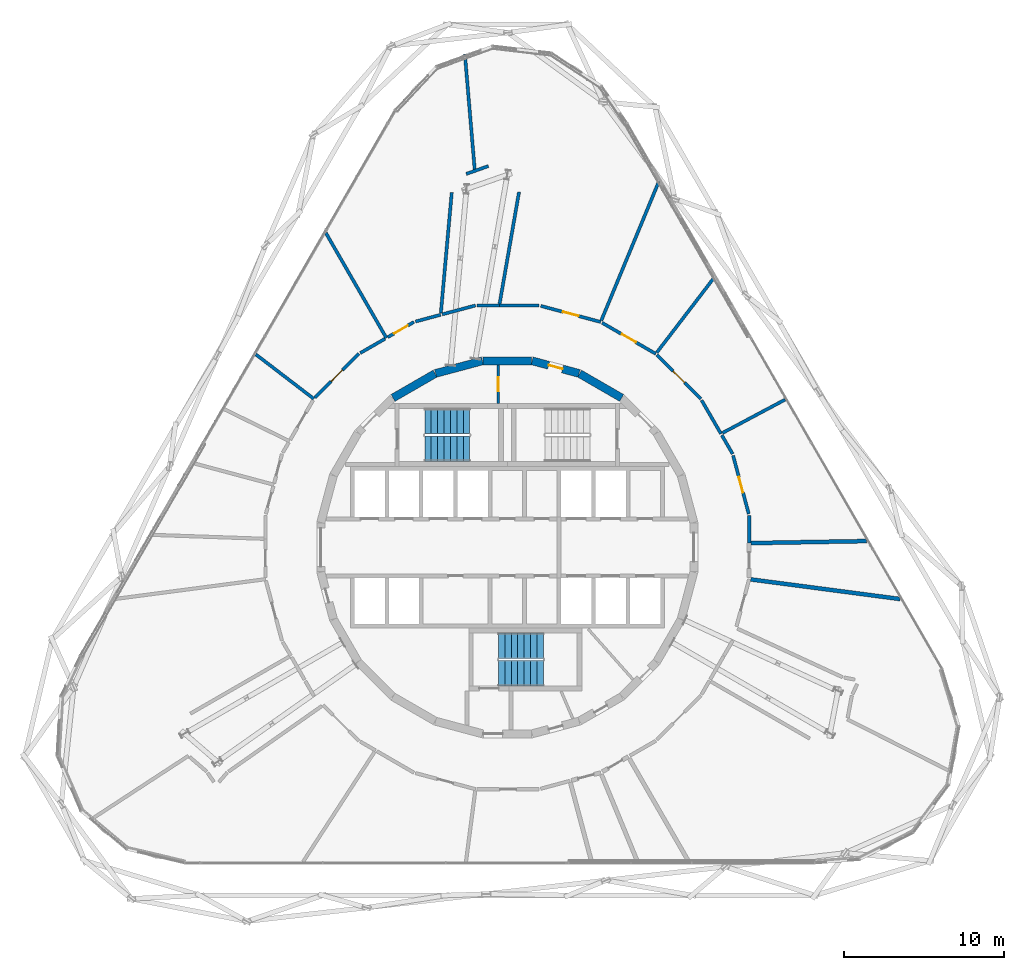
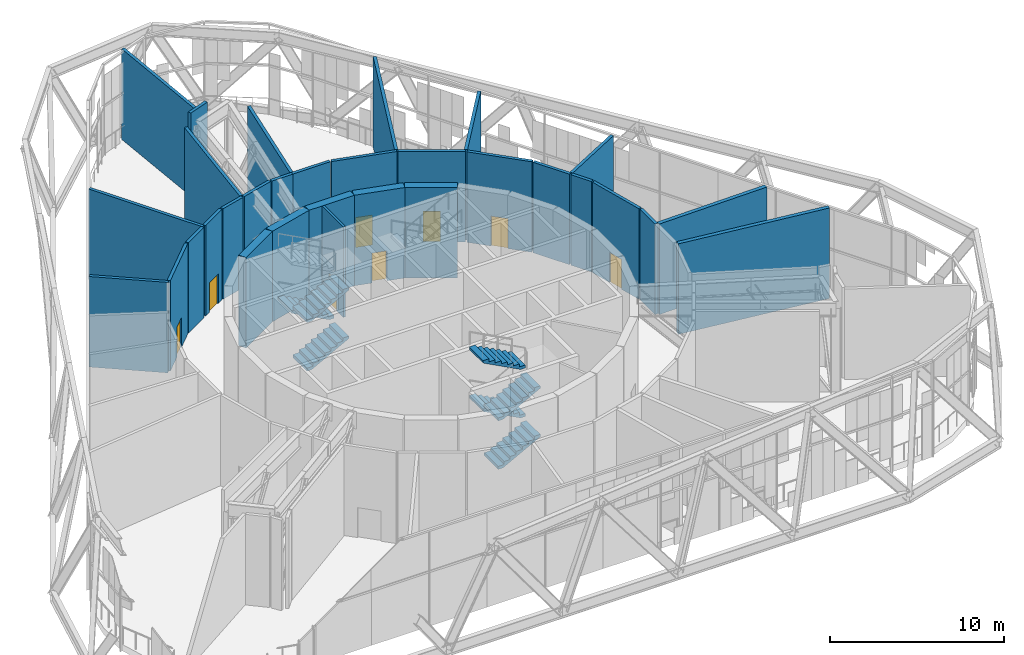
# One storey, part 26 of 29: 31 walls, 8 doors, 7 stair flights, 8 openings, 2 elements without a shape of their own.
"""IFC4 building model written with IfcOpenShell, lengths in metres."""

from ifc_helpers import new_model, si_unit, direction, frame, frame_2d, origin, place, context, subcontext, project, spatial, polyline, rectangle, outline, extrude, material, layer, layer_set, type_object, element, fill, aggregate, save


model = new_model("IFC4")

# Units and contexts
model_context = context("Model", 3, precision=1e-05, world=origin(), true_north=direction((0.0, 1.0)))
body_context = subcontext(model_context, "Body", "Model", "MODEL_VIEW")
ifc_project = project(units=[si_unit("LENGTHUNIT", "METRE"), si_unit("AREAUNIT", "SQUARE_METRE"), si_unit("VOLUMEUNIT", "CUBIC_METRE"), si_unit("PLANEANGLEUNIT", "RADIAN"), si_unit("MASSUNIT", "GRAM", prefix="KILO")], contexts=[model_context])

# Site, building, storey
site_placement = place(None, origin())
site = spatial("IfcSite", under=ifc_project, at=site_placement, CompositionType="ELEMENT")
building_placement = place(site_placement, origin())
building = spatial("IfcBuilding", under=site, at=building_placement, Name="Spindle Arch Residences", CompositionType="ELEMENT")
storey_placement = place(building_placement, frame((0.0, 0.0, 69.89990234375)))
storey = spatial("IfcBuildingStorey", under=building, at=storey_placement, Name="L16", CompositionType="ELEMENT", Elevation=69.89990234375)

# Wall
ifc_material_1 = material(Name="Concrete C50/60", Category="concrete")
ifc_layer_1 = layer(ifc_material_1, 0.5)
ifc_layer_set_1 = layer_set([ifc_layer_1], Name="Core outline wall 500")
wall_type_1 = type_object("IfcWallType", Name="Core outline wall 500", PredefinedType="SHEAR", material=ifc_layer_set_1)
wall_1_placement = place(storey_placement, frame((7.13671875, 9.32861328125, 0.0), z_axis=(0.0, 0.0, 1.0), x_axis=(-0.865975092491, 0.500087131594, 0.0)))
element("IfcWall", 1, at=wall_1_placement, inside=storey, type_object=wall_type_1, Name="Core outline wall 10", PredefinedType="SHEAR", context=body_context, shape_type="SweptSolid", body=[
    extrude(rectangle(XDim=3.03271484375, YDim=0.5, at=frame_2d((1.516357421875, 0.0))), origin(), (0.0, 0.0, 1.0), 6.35009765625),
])

# Wall, opening, door
wall_2_placement = place(storey_placement, frame((4.479248046875, 10.858154296875, 0.0), z_axis=(0.0, 0.0, 1.0), x_axis=(-0.965948410781, 0.258734743916, 0.0)))
wall_2 = element("IfcWall", 2, at=wall_2_placement, inside=storey, type_object=wall_type_1, Name="Core outline wall 11", PredefinedType="SHEAR", context=body_context, shape_type="SweptSolid", body=[
    extrude(rectangle(XDim=3.03271484375, YDim=0.5, at=frame_2d((1.516357421875, 0.0))), origin(), (0.0, 0.0, 1.0), 6.35009765625),
])
opening_1_placement = place(wall_2_placement, frame((1.066162109375, 0.0, 0.0)))
opening_1 = element("IfcOpeningElement", 3, at=opening_1_placement, cuts=wall_2, Name="Opening L16-WD12", PredefinedType="OPENING", context=body_context, shape_type="SweptSolid", body=[
    extrude(rectangle(XDim=0.89990234375, YDim=2.10009765625, at=frame_2d((0.449951171875, 1.050048828125))), frame((0.0, 0.260009765625, 0.0), z_axis=(0.0, -1.0, 0.0), x_axis=(1.0, 0.0, 0.0)), (0.0, 0.0, 1.0), 0.52001953125),
])
ifc_material_2 = material(Name="Steel, fire-resisting door", Category="steel")
door_type_1 = type_object("IfcDoorType", Name="Service room door 900x2100", OperationType="SINGLE_SWING_LEFT", PredefinedType="DOOR", material=ifc_material_2)
door_1_placement = place(opening_1_placement, origin())
door_1 = element("IfcDoor", 4, at=door_1_placement, inside=storey, type_object=door_type_1, Name="Service room door L16-WD12", OperationType="SINGLE_SWING_LEFT", OverallHeight=2.10009765625, OverallWidth=0.89990234375, PredefinedType="DOOR", context=body_context, shape_type="SweptSolid", body=[
    extrude(rectangle(XDim=0.89990234375, YDim=2.10009765625, at=frame_2d((0.449951171875, 1.050048828125))), frame((0.0, 0.02490234375, 0.0), z_axis=(0.0, -1.0, 0.0), x_axis=(1.0, 0.0, 0.0)), (0.0, 0.0, 1.0), 0.050048828125),
])
fill(opening_1, door_1)

# Walls
for number, where, z_axis, x_axis, name in (
    (5, (1.516357421875, 11.647216796875, 0.0), (0.0, 0.0, 1.0), (-1.0, 0.0, 0.0), "Core outline wall 12"),
    (6, (-1.5498046875, 11.642822265625, 0.0), (0.0, 0.0, 1.0), (-0.965948410781, -0.258734743916, 0.0), "Core outline wall 13"),
    (7, (-4.510498046875, 10.84521484375, 0.0), (0.0, 0.0, 1.0), (-0.865975092491, -0.500087131594, 0.0), "Core outline wall 14"),
):
    element("IfcWall", number, at=place(storey_placement, frame(where, z_axis=z_axis, x_axis=x_axis)), inside=storey, type_object=wall_type_1, Name=name, PredefinedType="SHEAR", context=body_context, shape_type="SweptSolid", body=[
        extrude(rectangle(XDim=3.03271484375, YDim=0.5, at=frame_2d((1.516357421875, 0.0))), origin(), (0.0, 0.0, 1.0), 6.35009765625),
    ])
ifc_material_3 = material(Name="Concrete C25/30 wall", Category="concrete")
ifc_layer_2 = layer(ifc_material_3, 0.25)
ifc_layer_set_2 = layer_set([ifc_layer_2], Name="Partition EI 120 250 plant")
wall_type_2 = type_object("IfcWallType", Name="Partition EI 120 250 plant", PredefinedType="PARTITIONING", material=ifc_layer_set_2)
wall_3_placement = place(storey_placement, frame((15.19921875, -2.0029296875, 0.0), z_axis=(0.0, 0.0, 1.0), x_axis=(0.991463740717, -0.130382709146, 0.0)))
element("IfcWall", 8, at=wall_3_placement, inside=storey, type_object=wall_type_2, Name="L16-W063", PredefinedType="PARTITIONING", context=body_context, shape_type="SweptSolid", body=[
    extrude(rectangle(XDim=9.4111328125, YDim=0.25, at=frame_2d((4.70556640625, 0.0))), origin(), (0.0, 0.0, 1.0), 6.35009765625),
])
wall_4_placement = place(storey_placement, frame((15.22509765625, 0.26220703125, 0.0), z_axis=(0.0, 0.0, 1.0), x_axis=(0.99984343394, 0.017694846912, 0.0)))
element("IfcWall", 9, at=wall_4_placement, inside=storey, type_object=wall_type_2, Name="L16-W065", PredefinedType="PARTITIONING", context=body_context, shape_type="SweptSolid", body=[
    extrude(rectangle(XDim=7.216064453125, YDim=0.25, at=frame_2d((3.60791015625, 0.0))), origin(), (0.0, 0.0, 1.0), 6.35009765625),
])
ifc_material_4 = material(Name="Gypsum board partition on steel studs", Category="steel")
ifc_layer_3 = layer(ifc_material_4, 0.199951171875)
ifc_layer_set_3 = layer_set([ifc_layer_3], Name="Partition EI 60 200 amenity")
wall_type_3 = type_object("IfcWallType", Name="Partition EI 60 200 amenity", PredefinedType="PARTITIONING", material=ifc_layer_set_3)
wall_5_placement = place(storey_placement, frame((-12.080078125, 9.27001953125, 0.0), z_axis=(0.0, 0.0, 1.0), x_axis=(-0.793910503162, 0.60803463139, 0.0)))
element("IfcWall", 10, at=wall_5_placement, inside=storey, type_object=wall_type_3, Name="L16-W020", PredefinedType="PARTITIONING", context=body_context, shape_type="SweptSolid", body=[
    extrude(rectangle(XDim=4.572265625, YDim=0.199951171875, at=frame_2d((2.2861328125, 0.0))), origin(), (0.0, 0.0, 1.0), 6.35009765625),
])

# Wall, opening, door
wall_6_placement = place(storey_placement, frame((-9.27001953125, 12.080078125, 0.0), z_axis=(0.0, 0.0, 1.0), x_axis=(-0.707106781187, -0.707106781187, 0.0)))
wall_6 = element("IfcWall", 11, at=wall_6_placement, inside=storey, type_object=wall_type_3, Name="L16-W024", PredefinedType="PARTITIONING", context=body_context, shape_type="SweptSolid", body=[
    extrude(rectangle(XDim=3.873779296875, YDim=0.199951171875, at=frame_2d((1.93701171875, 0.0))), origin(), (0.0, 0.0, 1.0), 6.35009765625),
])
opening_2_placement = place(wall_6_placement, frame((1.43701171875, 0.0, 0.0)))
opening_2 = element("IfcOpeningElement", 12, at=opening_2_placement, cuts=wall_6, Name="Opening L16-D16", PredefinedType="OPENING", context=body_context, shape_type="SweptSolid", body=[
    extrude(rectangle(XDim=1.0, YDim=2.10009765625, at=frame_2d((0.5, 1.050048828125))), frame((0.0, 0.10986328125, 0.0), z_axis=(0.0, -1.0, 0.0), x_axis=(1.0, 0.0, 0.0)), (0.0, 0.0, 1.0), 0.219970703125),
])
ifc_material_5 = material(Name="Timber door leaf", Category="wood")
door_type_2 = type_object("IfcDoorType", Name="Door 1000x2100 EI 30", OperationType="SINGLE_SWING_LEFT", PredefinedType="DOOR", material=ifc_material_5)
door_2_placement = place(opening_2_placement, origin())
door_2 = element("IfcDoor", 13, at=door_2_placement, inside=storey, type_object=door_type_2, Name="L16-D16", OperationType="SINGLE_SWING_LEFT", OverallHeight=2.10009765625, OverallWidth=1.0, PredefinedType="DOOR", context=body_context, shape_type="SweptSolid", body=[
    extrude(rectangle(XDim=1.0, YDim=2.10009765625, at=frame_2d((0.5, 1.050048828125))), frame((0.0, 0.02490234375, 0.0), z_axis=(0.0, -1.0, 0.0), x_axis=(1.0, 0.0, 0.0)), (0.0, 0.0, 1.0), 0.050048828125),
])
fill(opening_2, door_2)

# Walls
wall_7_placement = place(storey_placement, frame((-7.550048828125, 13.070068359375, 0.0), z_axis=(0.0, 0.0, 1.0), x_axis=(-0.499278518991, 0.866441550524, 0.0)))
element("IfcWall", 14, at=wall_7_placement, inside=storey, type_object=wall_type_3, Name="L16-W027", PredefinedType="PARTITIONING", context=body_context, shape_type="SweptSolid", body=[
    extrude(rectangle(XDim=7.571044921875, YDim=0.199951171875, at=frame_2d((3.78564453125, 0.0))), origin(), (0.0, 0.0, 1.0), 6.35009765625),
])
wall_8_placement = place(storey_placement, frame((-7.63671875, 13.02001953125, 0.0), z_axis=(0.0, 0.0, 1.0), x_axis=(-0.8667067021, -0.498818095637, 0.0)))
element("IfcWall", 15, at=wall_8_placement, inside=storey, type_object=wall_type_3, Name="L16-W028", PredefinedType="PARTITIONING", context=body_context, shape_type="SweptSolid", body=[
    extrude(rectangle(XDim=1.784423828125, YDim=0.199951171875, at=frame_2d((0.89208984375, 0.0))), origin(), (0.0, 0.0, 1.0), 6.35009765625),
])

# Wall, opening, door
wall_9_placement = place(storey_placement, frame((-5.830078125, 14.070068359375, 0.0), z_axis=(0.0, 0.0, 1.0), x_axis=(-0.864513714777, -0.502609228887, 0.0)))
wall_9 = element("IfcWall", 16, at=wall_9_placement, inside=storey, type_object=wall_type_3, Name="L16-W030", PredefinedType="PARTITIONING", context=body_context, shape_type="SweptSolid", body=[
    extrude(rectangle(XDim=1.8896484375, YDim=0.199951171875, at=frame_2d((0.94482421875, 0.0))), origin(), (0.0, 0.0, 1.0), 6.35009765625),
])
opening_3_placement = place(wall_9_placement, frame((0.44482421875, 0.0, 0.0)))
opening_3 = element("IfcOpeningElement", 17, at=opening_3_placement, cuts=wall_9, Name="Opening L16-D18", PredefinedType="OPENING", context=body_context, shape_type="SweptSolid", body=[
    extrude(rectangle(XDim=1.0, YDim=2.10009765625, at=frame_2d((0.5, 1.050048828125))), frame((0.0, 0.10986328125, 0.0), z_axis=(0.0, -1.0, 0.0), x_axis=(1.0, 0.0, 0.0)), (0.0, 0.0, 1.0), 0.219970703125),
])
door_3_placement = place(opening_3_placement, origin())
door_3 = element("IfcDoor", 18, at=door_3_placement, inside=storey, type_object=door_type_2, Name="L16-D18", OperationType="SINGLE_SWING_LEFT", OverallHeight=2.10009765625, OverallWidth=1.0, PredefinedType="DOOR", context=body_context, shape_type="SweptSolid", body=[
    extrude(rectangle(XDim=1.0, YDim=2.10009765625, at=frame_2d((0.5, 1.050048828125))), frame((0.0, 0.02490234375, 0.0), z_axis=(0.0, -1.0, 0.0), x_axis=(1.0, 0.0, 0.0)), (0.0, 0.0, 1.0), 0.050048828125),
])
fill(opening_3, door_3)

# Walls
wall_10_placement = place(storey_placement, frame((-4.159912109375, 14.52001953125, 0.0), z_axis=(0.0, 0.0, 1.0), x_axis=(-0.96554774119, -0.260225977726, 0.0)))
element("IfcWall", 19, at=wall_10_placement, inside=storey, type_object=wall_type_3, Name="L16-W031", PredefinedType="PARTITIONING", context=body_context, shape_type="SweptSolid", body=[
    extrude(rectangle(XDim=1.629638671875, YDim=0.199951171875, at=frame_2d((0.81494140625, 0.0))), origin(), (0.0, 0.0, 1.0), 6.35009765625),
])
wall_11_placement = place(storey_placement, frame((-3.468994140625, 22.160400390625, 0.0), z_axis=(0.0, 0.0, 1.0), x_axis=(-0.090058939674, -0.995936437422, 0.0)))
element("IfcWall", 20, at=wall_11_placement, inside=storey, type_object=wall_type_3, Name="L16-W032", PredefinedType="PARTITIONING", context=body_context, shape_type="SweptSolid", body=[
    extrude(rectangle(XDim=7.571533203125, YDim=0.199951171875, at=frame_2d((3.78564453125, 0.0))), origin(), (0.0, 0.0, 1.0), 6.35009765625),
])
wall_12_placement = place(storey_placement, frame((-2.565673828125, 23.3134765625, 0.0), z_axis=(0.0, 0.0, 1.0), x_axis=(0.942422688544, 0.334424096199, 0.0)))
element("IfcWall", 21, at=wall_12_placement, inside=storey, type_object=wall_type_3, Name="L16-W033", PredefinedType="PARTITIONING", context=body_context, shape_type="SweptSolid", body=[
    extrude(rectangle(XDim=1.472412109375, YDim=0.199951171875, at=frame_2d((0.736328125, 0.0))), origin(), (0.0, 0.0, 1.0), 6.35009765625),
])
wall_13_placement = place(storey_placement, frame((-2.030029296875, 23.510009765625, 0.0), z_axis=(0.0, 0.0, 1.0), x_axis=(-0.084724408258, 0.996404423236, 0.0)))
element("IfcWall", 22, at=wall_13_placement, inside=storey, type_object=wall_type_3, Name="L16-W034", PredefinedType="PARTITIONING", context=body_context, shape_type="SweptSolid", body=[
    extrude(rectangle(XDim=7.31640625, YDim=0.199951171875, at=frame_2d((3.658203125, 0.0))), origin(), (0.0, 0.0, 1.0), 6.35009765625),
])
wall_14_placement = place(storey_placement, frame((-1.989990234375, 15.10009765625, 0.0), z_axis=(0.0, 0.0, 1.0), x_axis=(-0.966087519043, -0.258214843781, 0.0)))
element("IfcWall", 23, at=wall_14_placement, inside=storey, type_object=wall_type_3, Name="L16-W037", PredefinedType="PARTITIONING", context=body_context, shape_type="SweptSolid", body=[
    extrude(rectangle(XDim=2.146240234375, YDim=0.199951171875, at=frame_2d((1.0732421875, 0.0))), origin(), (0.0, 0.0, 1.0), 6.35009765625),
])
wall_15_placement = place(storey_placement, frame((-0.5, 15.10009765625, 0.0), z_axis=(0.0, 0.0, 1.0), x_axis=(-1.0, 0.0, 0.0)))
element("IfcWall", 24, at=wall_15_placement, inside=storey, type_object=wall_type_3, Name="L16-W038", PredefinedType="PARTITIONING", context=body_context, shape_type="SweptSolid", body=[
    extrude(rectangle(XDim=1.389892578125, YDim=0.199951171875, at=frame_2d((0.69482421875, 0.0))), origin(), (0.0, 0.0, 1.0), 6.35009765625),
])
wall_16_placement = place(storey_placement, frame((-0.48291015625, 15.198486328125, 0.0), z_axis=(0.0, 0.0, 1.0), x_axis=(0.171227856746, 0.985231455585, 0.0)))
element("IfcWall", 25, at=wall_16_placement, inside=storey, type_object=wall_type_3, Name="L16-W039", PredefinedType="PARTITIONING", context=body_context, shape_type="SweptSolid", body=[
    extrude(rectangle(XDim=7.092041015625, YDim=0.199951171875, at=frame_2d((3.5458984375, 0.0))), origin(), (0.0, 0.0, 1.0), 6.35009765625),
])
wall_17_placement = place(storey_placement, frame((1.989990234375, 15.10009765625, 0.0), z_axis=(0.0, 0.0, 1.0), x_axis=(-1.0, 0.0, 0.0)))
element("IfcWall", 26, at=wall_17_placement, inside=storey, type_object=wall_type_3, Name="L16-W041", PredefinedType="PARTITIONING", context=body_context, shape_type="SweptSolid", body=[
    extrude(rectangle(XDim=2.489990234375, YDim=0.199951171875, at=frame_2d((1.2451171875, 0.0))), origin(), (0.0, 0.0, 1.0), 6.35009765625),
])

# Wall, opening, door
wall_18_placement = place(storey_placement, frame((5.830078125, 14.070068359375, 0.0), z_axis=(0.0, 0.0, 1.0), x_axis=(-0.965870133458, 0.259026804199, 0.0)))
wall_18 = element("IfcWall", 27, at=wall_18_placement, inside=storey, type_object=wall_type_3, Name="L16-W046", PredefinedType="PARTITIONING", context=body_context, shape_type="SweptSolid", body=[
    extrude(rectangle(XDim=3.875732421875, YDim=0.199951171875, at=frame_2d((1.93798828125, 0.0))), origin(), (0.0, 0.0, 1.0), 6.35009765625),
])
opening_4_placement = place(wall_18_placement, frame((1.43798828125, 0.0, 0.0)))
opening_4 = element("IfcOpeningElement", 28, at=opening_4_placement, cuts=wall_18, Name="Opening L16-D19", PredefinedType="OPENING", context=body_context, shape_type="SweptSolid", body=[
    extrude(rectangle(XDim=1.0, YDim=2.10009765625, at=frame_2d((0.5, 1.050048828125))), frame((0.0, 0.10986328125, 0.0), z_axis=(0.0, -1.0, 0.0), x_axis=(1.0, 0.0, 0.0)), (0.0, 0.0, 1.0), 0.219970703125),
])
door_4_placement = place(opening_4_placement, origin())
door_4 = element("IfcDoor", 29, at=door_4_placement, inside=storey, type_object=door_type_2, Name="L16-D19", OperationType="SINGLE_SWING_LEFT", OverallHeight=2.10009765625, OverallWidth=1.0, PredefinedType="DOOR", context=body_context, shape_type="SweptSolid", body=[
    extrude(rectangle(XDim=1.0, YDim=2.10009765625, at=frame_2d((0.5, 1.050048828125))), frame((0.0, 0.02490234375, 0.0), z_axis=(0.0, -1.0, 0.0), x_axis=(1.0, 0.0, 0.0)), (0.0, 0.0, 1.0), 0.050048828125),
])
fill(opening_4, door_4)

wall_19_placement = place(storey_placement, frame((9.27001953125, 12.080078125, 0.0), z_axis=(0.0, 0.0, 1.0), x_axis=(-0.865601686425, 0.500733182901, 0.0)))
wall_19 = element("IfcWall", 30, at=wall_19_placement, inside=storey, type_object=wall_type_3, Name="L16-W050", PredefinedType="PARTITIONING", context=body_context, shape_type="SweptSolid", body=[
    extrude(rectangle(XDim=3.874267578125, YDim=0.199951171875, at=frame_2d((1.93701171875, 0.0))), origin(), (0.0, 0.0, 1.0), 6.35009765625),
])
opening_5_placement = place(wall_19_placement, frame((1.43701171875, 0.0, 0.0)))
opening_5 = element("IfcOpeningElement", 31, at=opening_5_placement, cuts=wall_19, Name="Opening L16-D17", PredefinedType="OPENING", context=body_context, shape_type="SweptSolid", body=[
    extrude(rectangle(XDim=1.0, YDim=2.10009765625, at=frame_2d((0.5, 1.050048828125))), frame((0.0, 0.10986328125, 0.0), z_axis=(0.0, -1.0, 0.0), x_axis=(1.0, 0.0, 0.0)), (0.0, 0.0, 1.0), 0.219970703125),
])
door_5_placement = place(opening_5_placement, origin())
door_5 = element("IfcDoor", 32, at=door_5_placement, inside=storey, type_object=door_type_2, Name="L16-D17", OperationType="SINGLE_SWING_LEFT", OverallHeight=2.10009765625, OverallWidth=1.0, PredefinedType="DOOR", context=body_context, shape_type="SweptSolid", body=[
    extrude(rectangle(XDim=1.0, YDim=2.10009765625, at=frame_2d((0.5, 1.050048828125))), frame((0.0, 0.02490234375, 0.0), z_axis=(0.0, -1.0, 0.0), x_axis=(1.0, 0.0, 0.0)), (0.0, 0.0, 1.0), 0.050048828125),
])
fill(opening_5, door_5)

# Walls
wall_20_placement = place(storey_placement, frame((9.330810546875, 12.159423828125, 0.0), z_axis=(0.0, 0.0, 1.0), x_axis=(0.607927563865, 0.793992491837, 0.0)))
element("IfcWall", 33, at=wall_20_placement, inside=storey, type_object=wall_type_3, Name="L16-W051", PredefinedType="PARTITIONING", context=body_context, shape_type="SweptSolid", body=[
    extrude(rectangle(XDim=5.92041015625, YDim=0.199951171875, at=frame_2d((2.960205078125, 0.0))), origin(), (0.0, 0.0, 1.0), 6.35009765625),
])
wall_21_placement = place(storey_placement, frame((9.469970703125, 22.860107421875, 0.0), z_axis=(0.0, 0.0, 1.0), x_axis=(-0.382599926304, -0.923914117433, 0.0)))
element("IfcWall", 34, at=wall_21_placement, inside=storey, type_object=wall_type_3, Name="L16-W052", PredefinedType="PARTITIONING", context=body_context, shape_type="SweptSolid", body=[
    extrude(rectangle(XDim=9.4140625, YDim=0.199951171875, at=frame_2d((4.70703125, 0.0))), origin(), (0.0, 0.0, 1.0), 6.35009765625),
])

# Wall, opening, door
wall_22_placement = place(storey_placement, frame((12.080078125, 9.27001953125, 0.0), z_axis=(0.0, 0.0, 1.0), x_axis=(-0.707106781187, 0.707106781187, 0.0)))
wall_22 = element("IfcWall", 35, at=wall_22_placement, inside=storey, type_object=wall_type_3, Name="L16-W054", PredefinedType="PARTITIONING", context=body_context, shape_type="SweptSolid", body=[
    extrude(rectangle(XDim=3.873779296875, YDim=0.199951171875, at=frame_2d((1.93701171875, 0.0))), origin(), (0.0, 0.0, 1.0), 6.35009765625),
])
opening_6_placement = place(wall_22_placement, frame((1.43701171875, 0.0, 0.0)))
opening_6 = element("IfcOpeningElement", 36, at=opening_6_placement, cuts=wall_22, Name="Opening L16-D15", PredefinedType="OPENING", context=body_context, shape_type="SweptSolid", body=[
    extrude(rectangle(XDim=1.0, YDim=2.10009765625, at=frame_2d((0.5, 1.050048828125))), frame((0.0, 0.10986328125, 0.0), z_axis=(0.0, -1.0, 0.0), x_axis=(1.0, 0.0, 0.0)), (0.0, 0.0, 1.0), 0.219970703125),
])
door_6_placement = place(opening_6_placement, origin())
door_6 = element("IfcDoor", 37, at=door_6_placement, inside=storey, type_object=door_type_2, Name="L16-D15", OperationType="SINGLE_SWING_LEFT", OverallHeight=2.10009765625, OverallWidth=1.0, PredefinedType="DOOR", context=body_context, shape_type="SweptSolid", body=[
    extrude(rectangle(XDim=1.0, YDim=2.10009765625, at=frame_2d((0.5, 1.050048828125))), frame((0.0, 0.02490234375, 0.0), z_axis=(0.0, -1.0, 0.0), x_axis=(1.0, 0.0, 0.0)), (0.0, 0.0, 1.0), 0.050048828125),
])
fill(opening_6, door_6)

# Walls
wall_23_placement = place(storey_placement, frame((13.340087890625, 7.090087890625, 0.0), z_axis=(0.0, 0.0, 1.0), x_axis=(-0.500439091614, 0.865771745661, 0.0)))
element("IfcWall", 38, at=wall_23_placement, inside=storey, type_object=wall_type_3, Name="L16-W057", PredefinedType="PARTITIONING", context=body_context, shape_type="SweptSolid", body=[
    extrude(rectangle(XDim=2.417724609375, YDim=0.199951171875, at=frame_2d((1.208984375, 0.0))), origin(), (0.0, 0.0, 1.0), 6.35009765625),
])
wall_24_placement = place(storey_placement, frame((13.42822265625, 7.136962890625, 0.0), z_axis=(0.0, 0.0, 1.0), x_axis=(0.882663829621, 0.470004855166, 0.0)))
element("IfcWall", 39, at=wall_24_placement, inside=storey, type_object=wall_type_3, Name="L16-W058", PredefinedType="PARTITIONING", context=body_context, shape_type="SweptSolid", body=[
    extrude(rectangle(XDim=4.431884765625, YDim=0.199951171875, at=frame_2d((2.2158203125, 0.0))), origin(), (0.0, 0.0, 1.0), 6.35009765625),
])
wall_25_placement = place(storey_placement, frame((14.070068359375, 5.830078125, 0.0), z_axis=(0.0, 0.0, 1.0), x_axis=(-0.501383964678, 0.865224895599, 0.0)))
element("IfcWall", 40, at=wall_25_placement, inside=storey, type_object=wall_type_3, Name="L16-W060", PredefinedType="PARTITIONING", context=body_context, shape_type="SweptSolid", body=[
    extrude(rectangle(XDim=1.356201171875, YDim=0.199951171875, at=frame_2d((0.67822265625, 0.0))), origin(), (0.0, 0.0, 1.0), 6.35009765625),
])
wall_26_placement = place(storey_placement, frame((15.10009765625, 0.260009765625, 0.0), z_axis=(0.0, 0.0, 1.0), x_axis=(0.0, 1.0, 0.0)))
element("IfcWall", 41, at=wall_26_placement, inside=storey, type_object=wall_type_3, Name="L16-W064", PredefinedType="PARTITIONING", context=body_context, shape_type="SweptSolid", body=[
    extrude(rectangle(XDim=1.72998046875, YDim=0.199951171875, at=frame_2d((0.864990234375, 0.0))), origin(), (0.0, 0.0, 1.0), 6.35009765625),
])

# Wall, opening, door
wall_27_placement = place(storey_placement, frame((15.073974609375, 2.086669921875, 0.0), z_axis=(0.0, 0.0, 1.0), x_axis=(-0.259038819442, 0.965866911133, 0.0)))
wall_27 = element("IfcWall", 42, at=wall_27_placement, inside=storey, type_object=wall_type_3, Name="L16-W066", PredefinedType="PARTITIONING", context=body_context, shape_type="SweptSolid", body=[
    extrude(rectangle(XDim=3.775634765625, YDim=0.199951171875, at=frame_2d((1.8876953125, 0.0))), origin(), (0.0, 0.0, 1.0), 6.35009765625),
])
opening_7_placement = place(wall_27_placement, frame((1.387939453125, 0.0, 0.0)))
opening_7 = element("IfcOpeningElement", 43, at=opening_7_placement, cuts=wall_27, Name="Opening L16-D12", PredefinedType="OPENING", context=body_context, shape_type="SweptSolid", body=[
    extrude(rectangle(XDim=1.0, YDim=2.10009765625, at=frame_2d((0.5, 1.050048828125))), frame((0.0, 0.10986328125, 0.0), z_axis=(0.0, -1.0, 0.0), x_axis=(1.0, 0.0, 0.0)), (0.0, 0.0, 1.0), 0.219970703125),
])
door_7_placement = place(opening_7_placement, origin())
door_7 = element("IfcDoor", 44, at=door_7_placement, inside=storey, type_object=door_type_2, Name="L16-D12", OperationType="SINGLE_SWING_LEFT", OverallHeight=2.10009765625, OverallWidth=1.0, PredefinedType="DOOR", context=body_context, shape_type="SweptSolid", body=[
    extrude(rectangle(XDim=1.0, YDim=2.10009765625, at=frame_2d((0.5, 1.050048828125))), frame((0.0, 0.02490234375, 0.0), z_axis=(0.0, -1.0, 0.0), x_axis=(1.0, 0.0, 0.0)), (0.0, 0.0, 1.0), 0.050048828125),
])
fill(opening_7, door_7)

ifc_material_6 = material(Name="Concrete C25/30", Category="concrete")
ifc_layer_4 = layer(ifc_material_6, 0.14990234375)
ifc_layer_set_4 = layer_set([ifc_layer_4], Name="Service room partition 150")
wall_type_4 = type_object("IfcWallType", Name="Service room partition 150", PredefinedType="PARTITIONING", material=ifc_layer_set_4)
wall_28_placement = place(storey_placement, frame((-0.5615234375, 8.969970703125, 0.0), z_axis=(0.0, 0.0, 1.0), x_axis=(0.0, 1.0, 0.0)))
wall_28 = element("IfcWall", 45, at=wall_28_placement, inside=storey, type_object=wall_type_4, Name="Core service room partition", PredefinedType="PARTITIONING", context=body_context, shape_type="SweptSolid", body=[
    extrude(rectangle(XDim=2.42724609375, YDim=0.14990234375, at=frame_2d((1.213623046875, 0.0))), origin(), (0.0, 0.0, 1.0), 6.35009765625),
])
opening_8_placement = place(wall_28_placement, frame((0.763671875, 0.0, 0.0)))
opening_8 = element("IfcOpeningElement", 46, at=opening_8_placement, cuts=wall_28, Name="Opening L16-WD07", PredefinedType="OPENING", context=body_context, shape_type="SweptSolid", body=[
    extrude(rectangle(XDim=0.89990234375, YDim=2.10009765625, at=frame_2d((0.449951171875, 1.050048828125))), frame((0.0, 0.0849609375, 0.0), z_axis=(0.0, -1.0, 0.0), x_axis=(1.0, 0.0, 0.0)), (0.0, 0.0, 1.0), 0.169921875),
])
door_8_placement = place(opening_8_placement, origin())
door_8 = element("IfcDoor", 47, at=door_8_placement, inside=storey, type_object=door_type_1, Name="Service room door L16-WD07", OperationType="SINGLE_SWING_RIGHT", OverallHeight=2.10009765625, OverallWidth=0.89990234375, PredefinedType="DOOR", context=body_context, shape_type="SweptSolid", body=[
    extrude(rectangle(XDim=0.89990234375, YDim=2.10009765625, at=frame_2d((0.449951171875, 1.050048828125))), frame((0.0, 0.02490234375, 0.0), z_axis=(0.0, -1.0, 0.0), x_axis=(1.0, 0.0, 0.0)), (0.0, 0.0, 1.0), 0.050048828125),
])
fill(opening_8, door_8)

# Stair, stair flights
ifc_material_7 = material(Name="Concrete C50/60", Category="concrete")
stair_type = type_object("IfcStairType", Name="Exit stair 32 risers", PredefinedType="HALF_TURN_STAIR", material=ifc_material_7)
stair_1_placement = place(storey_placement, origin())
stair_1 = element("IfcStair", 48, at=stair_1_placement, inside=storey, type_object=stair_type, Name="L16 Exit stair ST2", PredefinedType="HALF_TURN_STAIR")
ifc_material_8 = material(Name="Concrete C50/60", Category="concrete")
stair_flight_type = type_object("IfcStairFlightType", Name="Exit stair flight", PredefinedType="STRAIGHT", material=ifc_material_8)
stair_flight_1_placement = place(storey_placement, frame((-5.14990234375, 6.14990234375, 0.0), z_axis=(0.0, 0.0, 1.0), x_axis=(1.0, 0.0, 0.0)))
stair_flight_1 = element("IfcStairFlight", 49, at=stair_flight_1_placement, type_object=stair_flight_type, Name="ST2 flight 1", NumberOfRisers=8, NumberOfTreads=7, PredefinedType="STRAIGHT", RiserHeight=0.2125, TreadLength=0.4, context=body_context, shape_type="SweptSolid", body=[
    extrude(outline(polyline([(0.0, 0.0), (0.0, 0.21240234375), (0.39990234375, 0.21240234375), (0.39990234375, 0.425048828125), (0.800048828125, 0.425048828125), (0.800048828125, 0.637451171875), (1.199951171875, 0.637451171875), (1.199951171875, 0.85009765625), (1.60009765625, 0.85009765625), (1.60009765625, 1.0625), (2.0, 1.0625), (2.0, 1.27490234375), (2.39990234375, 1.27490234375), (2.39990234375, 1.487548828125), (2.800048828125, 1.487548828125), (2.800048828125, 1.699951171875), (2.800048828125, 1.31787109375), (0.319580078125, 0.0), (0.0, 0.0)])), frame((0.0, 0.800048828125, 0.0), z_axis=(0.0, -1.0, 0.0), x_axis=(1.0, 0.0, 0.0)), (0.0, 0.0, 1.0), 1.60009765625),
])
stair_flight_2_placement = place(storey_placement, frame((-2.35009765625, 7.8701171875, 1.7001953125), z_axis=(0.0, 0.0, 1.0), x_axis=(-1.0, 0.0, 0.0)))
stair_flight_2 = element("IfcStairFlight", 50, at=stair_flight_2_placement, type_object=stair_flight_type, Name="ST2 flight 2", NumberOfRisers=8, NumberOfTreads=7, PredefinedType="STRAIGHT", RiserHeight=0.2125, TreadLength=0.4, context=body_context, shape_type="SweptSolid", body=[
    extrude(outline(polyline([(0.0, 0.0), (0.0, 0.21240234375), (0.39990234375, 0.21240234375), (0.39990234375, 0.425048828125), (0.800048828125, 0.425048828125), (0.800048828125, 0.637451171875), (1.199951171875, 0.637451171875), (1.199951171875, 0.85009765625), (1.60009765625, 0.85009765625), (1.60009765625, 1.0625), (2.0, 1.0625), (2.0, 1.27490234375), (2.39990234375, 1.27490234375), (2.39990234375, 1.487548828125), (2.800048828125, 1.487548828125), (2.800048828125, 1.699951171875), (2.800048828125, 1.31787109375), (0.319580078125, 0.0), (0.0, 0.0)])), frame((0.0, 0.800048828125, 0.0), z_axis=(0.0, -1.0, 0.0), x_axis=(1.0, 0.0, 0.0)), (0.0, 0.0, 1.0), 1.60009765625),
])
stair_flight_3_placement = place(storey_placement, frame((-5.14990234375, 6.14990234375, 3.400146484375), z_axis=(0.0, 0.0, 1.0), x_axis=(1.0, 0.0, 0.0)))
stair_flight_3 = element("IfcStairFlight", 51, at=stair_flight_3_placement, type_object=stair_flight_type, Name="ST2 flight 3", NumberOfRisers=8, NumberOfTreads=7, PredefinedType="STRAIGHT", RiserHeight=0.2125, TreadLength=0.4, context=body_context, shape_type="SweptSolid", body=[
    extrude(outline(polyline([(0.0, 0.0), (0.0, 0.21240234375), (0.39990234375, 0.21240234375), (0.39990234375, 0.425048828125), (0.800048828125, 0.425048828125), (0.800048828125, 0.637451171875), (1.199951171875, 0.637451171875), (1.199951171875, 0.85009765625), (1.60009765625, 0.85009765625), (1.60009765625, 1.0625), (2.0, 1.0625), (2.0, 1.27490234375), (2.39990234375, 1.27490234375), (2.39990234375, 1.487548828125), (2.800048828125, 1.487548828125), (2.800048828125, 1.699951171875), (2.800048828125, 1.31787109375), (0.319580078125, 0.0), (0.0, 0.0)])), frame((0.0, 0.800048828125, 0.0), z_axis=(0.0, -1.0, 0.0), x_axis=(1.0, 0.0, 0.0)), (0.0, 0.0, 1.0), 1.60009765625),
])
aggregate(stair_1, [stair_flight_1, stair_flight_2, stair_flight_3])

stair_2_placement = place(storey_placement, origin())
stair_2 = element("IfcStair", 52, at=stair_2_placement, inside=storey, type_object=stair_type, Name="L16 Exit stair ST3", PredefinedType="HALF_TURN_STAIR")
stair_flight_4_placement = place(storey_placement, frame((-0.550048828125, -7.8701171875, 0.0), z_axis=(0.0, 0.0, 1.0), x_axis=(1.0, 0.0, 0.0)))
stair_flight_4 = element("IfcStairFlight", 53, at=stair_flight_4_placement, type_object=stair_flight_type, Name="ST3 flight 1", NumberOfRisers=8, NumberOfTreads=7, PredefinedType="STRAIGHT", RiserHeight=0.2125, TreadLength=0.4, context=body_context, shape_type="SweptSolid", body=[
    extrude(outline(polyline([(0.0, 0.0), (0.0, 0.21240234375), (0.39990234375, 0.21240234375), (0.39990234375, 0.425048828125), (0.800048828125, 0.425048828125), (0.800048828125, 0.637451171875), (1.199951171875, 0.637451171875), (1.199951171875, 0.85009765625), (1.60009765625, 0.85009765625), (1.60009765625, 1.0625), (2.0, 1.0625), (2.0, 1.27490234375), (2.39990234375, 1.27490234375), (2.39990234375, 1.487548828125), (2.800048828125, 1.487548828125), (2.800048828125, 1.699951171875), (2.800048828125, 1.31787109375), (0.319580078125, 0.0), (0.0, 0.0)])), frame((0.0, 0.800048828125, 0.0), z_axis=(0.0, -1.0, 0.0), x_axis=(1.0, 0.0, 0.0)), (0.0, 0.0, 1.0), 1.60009765625),
])
stair_flight_5_placement = place(storey_placement, frame((2.25, -6.14990234375, 1.7001953125), z_axis=(0.0, 0.0, 1.0), x_axis=(-1.0, 0.0, 0.0)))
stair_flight_5 = element("IfcStairFlight", 54, at=stair_flight_5_placement, type_object=stair_flight_type, Name="ST3 flight 2", NumberOfRisers=8, NumberOfTreads=7, PredefinedType="STRAIGHT", RiserHeight=0.2125, TreadLength=0.4, context=body_context, shape_type="SweptSolid", body=[
    extrude(outline(polyline([(0.0, 0.0), (0.0, 0.21240234375), (0.39990234375, 0.21240234375), (0.39990234375, 0.425048828125), (0.800048828125, 0.425048828125), (0.800048828125, 0.637451171875), (1.199951171875, 0.637451171875), (1.199951171875, 0.85009765625), (1.60009765625, 0.85009765625), (1.60009765625, 1.0625), (2.0, 1.0625), (2.0, 1.27490234375), (2.39990234375, 1.27490234375), (2.39990234375, 1.487548828125), (2.800048828125, 1.487548828125), (2.800048828125, 1.699951171875), (2.800048828125, 1.31787109375), (0.319580078125, 0.0), (0.0, 0.0)])), frame((0.0, 0.800048828125, 0.0), z_axis=(0.0, -1.0, 0.0), x_axis=(1.0, 0.0, 0.0)), (0.0, 0.0, 1.0), 1.60009765625),
])
stair_flight_6_placement = place(storey_placement, frame((-0.550048828125, -7.8701171875, 3.400146484375), z_axis=(0.0, 0.0, 1.0), x_axis=(1.0, 0.0, 0.0)))
stair_flight_6 = element("IfcStairFlight", 55, at=stair_flight_6_placement, type_object=stair_flight_type, Name="ST3 flight 3", NumberOfRisers=8, NumberOfTreads=7, PredefinedType="STRAIGHT", RiserHeight=0.2125, TreadLength=0.4, context=body_context, shape_type="SweptSolid", body=[
    extrude(outline(polyline([(0.0, 0.0), (0.0, 0.21240234375), (0.39990234375, 0.21240234375), (0.39990234375, 0.425048828125), (0.800048828125, 0.425048828125), (0.800048828125, 0.637451171875), (1.199951171875, 0.637451171875), (1.199951171875, 0.85009765625), (1.60009765625, 0.85009765625), (1.60009765625, 1.0625), (2.0, 1.0625), (2.0, 1.27490234375), (2.39990234375, 1.27490234375), (2.39990234375, 1.487548828125), (2.800048828125, 1.487548828125), (2.800048828125, 1.699951171875), (2.800048828125, 1.31787109375), (0.319580078125, 0.0), (0.0, 0.0)])), frame((0.0, 0.800048828125, 0.0), z_axis=(0.0, -1.0, 0.0), x_axis=(1.0, 0.0, 0.0)), (0.0, 0.0, 1.0), 1.60009765625),
])
stair_flight_7_placement = place(storey_placement, frame((2.25, -6.14990234375, 5.10009765625), z_axis=(0.0, 0.0, 1.0), x_axis=(-1.0, 0.0, 0.0)))
stair_flight_7 = element("IfcStairFlight", 56, at=stair_flight_7_placement, type_object=stair_flight_type, Name="ST3 flight 4", NumberOfRisers=8, NumberOfTreads=7, PredefinedType="STRAIGHT", RiserHeight=0.2125, TreadLength=0.4, context=body_context, shape_type="SweptSolid", body=[
    extrude(outline(polyline([(0.0, 0.0), (0.0, 0.21240234375), (0.39990234375, 0.21240234375), (0.39990234375, 0.425048828125), (0.800048828125, 0.425048828125), (0.800048828125, 0.637451171875), (1.199951171875, 0.637451171875), (1.199951171875, 0.85009765625), (1.60009765625, 0.85009765625), (1.60009765625, 1.0625), (2.0, 1.0625), (2.0, 1.27490234375), (2.39990234375, 1.27490234375), (2.39990234375, 1.487548828125), (2.800048828125, 1.487548828125), (2.800048828125, 1.699951171875), (2.800048828125, 1.31787109375), (0.319580078125, 0.0), (0.0, 0.0)])), frame((0.0, 0.800048828125, 0.0), z_axis=(0.0, -1.0, 0.0), x_axis=(1.0, 0.0, 0.0)), (0.0, 0.0, 1.0), 1.60009765625),
])
aggregate(stair_2, [stair_flight_4, stair_flight_5, stair_flight_6, stair_flight_7])

save(model, "model.ifc")
